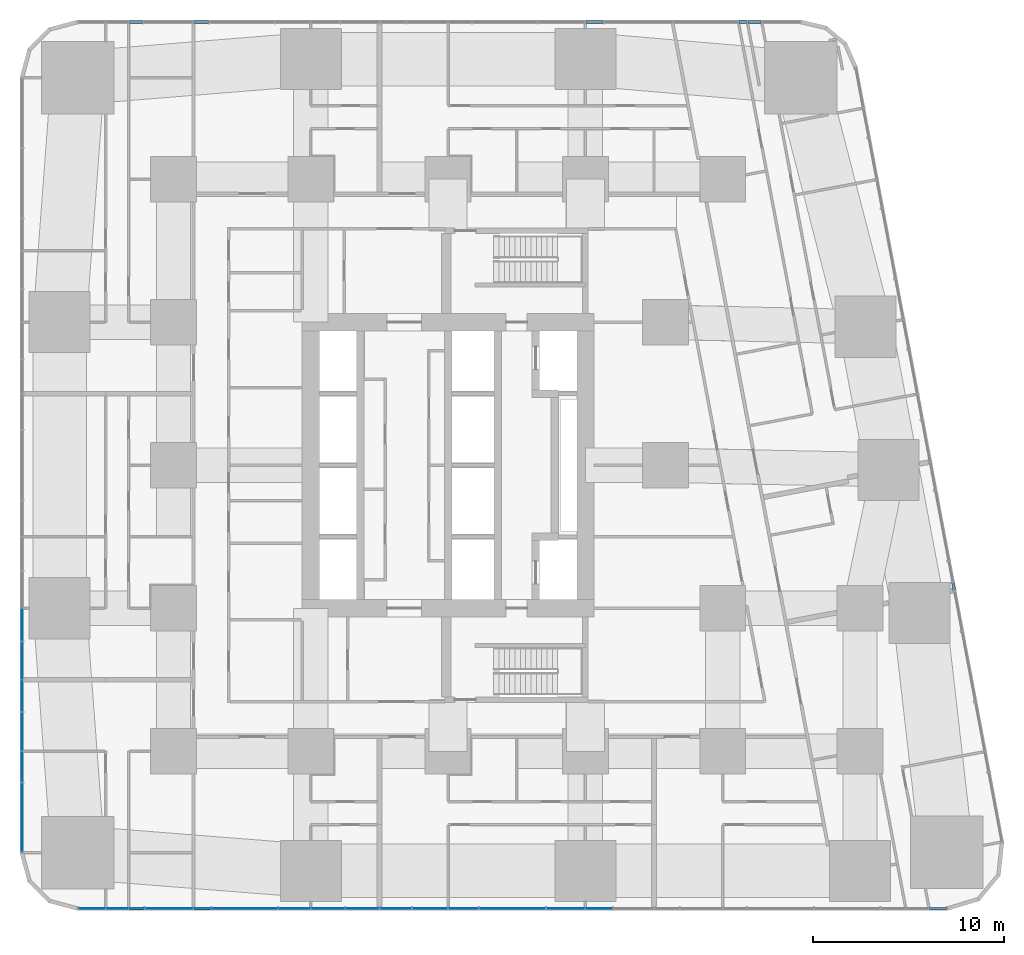
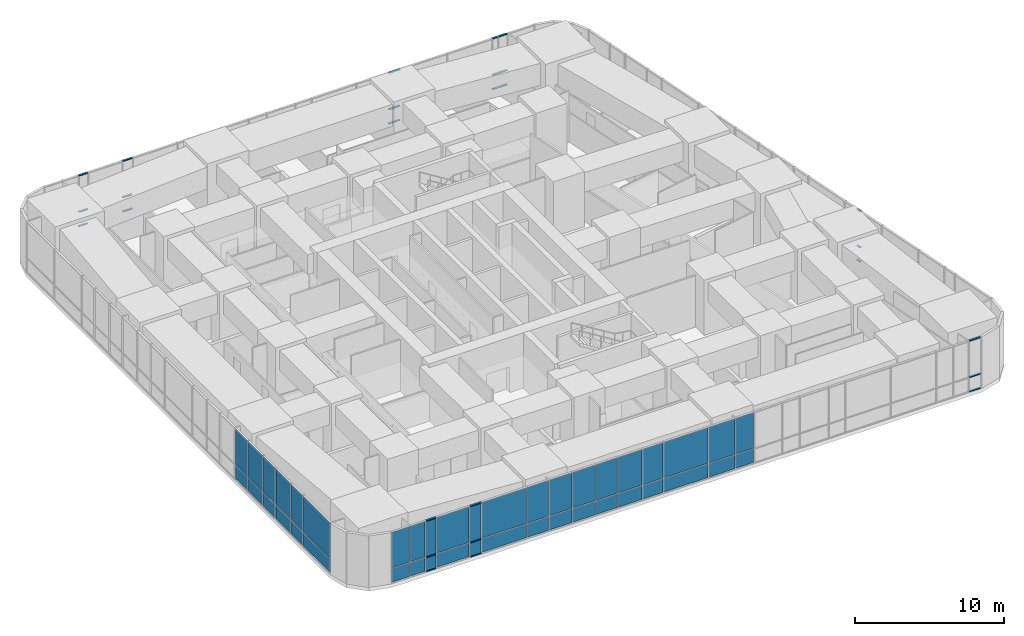
# One storey, part 9 of 22: 42 plates, 27 members, 4 elements without a shape of their own.
"""IFC4 building model written with IfcOpenShell, lengths in metres."""

from ifc_helpers import new_model, si_unit, direction, frame, origin, origin_2d, place, context, subcontext, project, spatial, rectangle, extrude, material, layer, layer_set, material_profile, profile_set, type_object, element, aggregate, save


model = new_model("IFC4")

# Units and contexts
model_context = context("Model", 3, precision=1e-05, world=origin(), true_north=direction((0.0, 1.0)))
body_context = subcontext(model_context, "Body", "Model", "MODEL_VIEW")
ifc_project = project(units=[si_unit("LENGTHUNIT", "METRE"), si_unit("AREAUNIT", "SQUARE_METRE"), si_unit("VOLUMEUNIT", "CUBIC_METRE"), si_unit("PLANEANGLEUNIT", "RADIAN"), si_unit("MASSUNIT", "GRAM", prefix="KILO")], contexts=[model_context])

# Site, building, storey
site_placement = place(None, origin())
site = spatial("IfcSite", under=ifc_project, at=site_placement, CompositionType="ELEMENT")
building_placement = place(site_placement, origin())
building = spatial("IfcBuilding", under=site, at=building_placement, Name="Sheger Commons Tower", CompositionType="ELEMENT")
storey_placement = place(building_placement, frame((0.0, 0.0, 10.10009765625)))
storey = spatial("IfcBuildingStorey", under=building, at=storey_placement, Name="L02", CompositionType="ELEMENT", Elevation=10.10009765625)

# Curtain wall, members
ifc_material_1 = material(Name="Black aluminium curtain wall, dark tinted glazing", Category="aluminium")
curtain_wall_type = type_object("IfcCurtainWallType", Name="CURTAIN WALL CW2 HEALTH CENTRE", PredefinedType="USERDEFINED", material=ifc_material_1)
curtain_wall_1_placement = place(storey_placement, origin())
curtain_wall_1 = element("IfcCurtainWall", 1, at=curtain_wall_1_placement, inside=storey, type_object=curtain_wall_type, Name="Curtain Wall Cw2 Health Centre S1 L02", ObjectType="STICK CURTAIN WALL", PredefinedType="USERDEFINED")
ifc_material_2 = material(Name="Black anodised aluminium", Category="aluminium")
ifc_material_profile = material_profile(ifc_material_2, rectangle(XDim=0.14990234375, YDim=0.06494140625, at=origin_2d()), Name="AL 65x150")
ifc_profile_set = profile_set([ifc_material_profile], Name="Black anodised aluminium")
member_type = type_object("IfcMemberType", Name="TRANSOM AL 65x150", PredefinedType="USERDEFINED", material=ifc_profile_set)
member_1_placement = place(storey_placement, frame((4.882568359375, -0.75, 0.032470703125), z_axis=(1.0, 0.0, 0.0), x_axis=(0.0, 1.0, 0.0)))
member_1 = element("IfcMember", 2, at=member_1_placement, type_object=member_type, Name="CW2 transom 3.1", ObjectType="TRANSOM", PredefinedType="USERDEFINED", context=body_context, shape_type="SweptSolid", body=[
    extrude(rectangle(XDim=0.14990234375, YDim=0.06494140625, at=origin_2d()), origin(), (0.0, 0.0, 1.0), 0.7578125),
])
member_2_placement = place(storey_placement, frame((4.882568359375, -0.75, 1.199951171875), z_axis=(1.0, 0.0, 0.0), x_axis=(0.0, 1.0, 0.0)))
member_2 = element("IfcMember", 3, at=member_2_placement, type_object=member_type, Name="CW2 transom 3.2", ObjectType="TRANSOM", PredefinedType="USERDEFINED", context=body_context, shape_type="SweptSolid", body=[
    extrude(rectangle(XDim=0.14990234375, YDim=0.06494140625, at=origin_2d()), origin(), (0.0, 0.0, 1.0), 0.7578125),
])
member_3_placement = place(storey_placement, frame((4.882568359375, -0.75, 4.16748046875), z_axis=(1.0, 0.0, 0.0), x_axis=(0.0, 1.0, 0.0)))
member_3 = element("IfcMember", 4, at=member_3_placement, type_object=member_type, Name="CW2 transom 3.3", ObjectType="TRANSOM", PredefinedType="USERDEFINED", context=body_context, shape_type="SweptSolid", body=[
    extrude(rectangle(XDim=0.14990234375, YDim=0.06494140625, at=origin_2d()), origin(), (0.0, 0.0, 1.0), 0.7578125),
])
member_4_placement = place(storey_placement, frame((8.282470703125, -0.75, 0.032470703125), z_axis=(1.0, 0.0, 0.0), x_axis=(0.0, 1.0, 0.0)))
member_4 = element("IfcMember", 5, at=member_4_placement, type_object=member_type, Name="CW2 transom 5.1", ObjectType="TRANSOM", PredefinedType="USERDEFINED", context=body_context, shape_type="SweptSolid", body=[
    extrude(rectangle(XDim=0.14990234375, YDim=0.06494140625, at=origin_2d()), origin(), (0.0, 0.0, 1.0), 0.867919921875),
])
member_5_placement = place(storey_placement, frame((8.282470703125, -0.75, 1.199951171875), z_axis=(1.0, 0.0, 0.0), x_axis=(0.0, 1.0, 0.0)))
member_5 = element("IfcMember", 6, at=member_5_placement, type_object=member_type, Name="CW2 transom 5.2", ObjectType="TRANSOM", PredefinedType="USERDEFINED", context=body_context, shape_type="SweptSolid", body=[
    extrude(rectangle(XDim=0.14990234375, YDim=0.06494140625, at=origin_2d()), origin(), (0.0, 0.0, 1.0), 0.867919921875),
])
member_6_placement = place(storey_placement, frame((8.282470703125, -0.75, 4.16748046875), z_axis=(1.0, 0.0, 0.0), x_axis=(0.0, 1.0, 0.0)))
member_6 = element("IfcMember", 7, at=member_6_placement, type_object=member_type, Name="CW2 transom 5.3", ObjectType="TRANSOM", PredefinedType="USERDEFINED", context=body_context, shape_type="SweptSolid", body=[
    extrude(rectangle(XDim=0.14990234375, YDim=0.06494140625, at=origin_2d()), origin(), (0.0, 0.0, 1.0), 0.867919921875),
])
member_7_placement = place(storey_placement, frame((46.859619140625, -0.75, 0.032470703125), z_axis=(1.0, 0.0, 0.0), x_axis=(0.0, 1.0, 0.0)))
member_7 = element("IfcMember", 8, at=member_7_placement, type_object=member_type, Name="CW2 transom 24.1", ObjectType="TRANSOM", PredefinedType="USERDEFINED", context=body_context, shape_type="SweptSolid", body=[
    extrude(rectangle(XDim=0.14990234375, YDim=0.06494140625, at=origin_2d()), origin(), (0.0, 0.0, 1.0), 0.866455078125),
])
member_8_placement = place(storey_placement, frame((46.859619140625, -0.75, 1.199951171875), z_axis=(1.0, 0.0, 0.0), x_axis=(0.0, 1.0, 0.0)))
member_8 = element("IfcMember", 9, at=member_8_placement, type_object=member_type, Name="CW2 transom 24.2", ObjectType="TRANSOM", PredefinedType="USERDEFINED", context=body_context, shape_type="SweptSolid", body=[
    extrude(rectangle(XDim=0.14990234375, YDim=0.06494140625, at=origin_2d()), origin(), (0.0, 0.0, 1.0), 0.866455078125),
])
member_9_placement = place(storey_placement, frame((46.859619140625, -0.75, 4.16748046875), z_axis=(1.0, 0.0, 0.0), x_axis=(0.0, 1.0, 0.0)))
member_9 = element("IfcMember", 10, at=member_9_placement, type_object=member_type, Name="CW2 transom 24.3", ObjectType="TRANSOM", PredefinedType="USERDEFINED", context=body_context, shape_type="SweptSolid", body=[
    extrude(rectangle(XDim=0.14990234375, YDim=0.06494140625, at=origin_2d()), origin(), (0.0, 0.0, 1.0), 0.866455078125),
])

curtain_wall_2_placement = place(storey_placement, origin())
curtain_wall_2 = element("IfcCurtainWall", 11, at=curtain_wall_2_placement, inside=storey, type_object=curtain_wall_type, Name="Curtain Wall Cw2 Health Centre E1 L02", ObjectType="STICK CURTAIN WALL", PredefinedType="USERDEFINED")
member_10_placement = place(storey_placement, frame((48.1474609375, 15.967041015625, 0.032470703125), z_axis=(-0.185599713846, 0.982625435362, 0.0), x_axis=(-0.982625435362, -0.185599713846, 0.0)))
member_10 = element("IfcMember", 12, at=member_10_placement, type_object=member_type, Name="CW2 transom 6.1", ObjectType="TRANSOM", PredefinedType="USERDEFINED", context=body_context, shape_type="SweptSolid", body=[
    extrude(rectangle(XDim=0.14990234375, YDim=0.06494140625, at=origin_2d()), origin(), (0.0, 0.0, 1.0), 0.370849609375),
])
member_11_placement = place(storey_placement, frame((48.1474609375, 15.967041015625, 1.199951171875), z_axis=(-0.185599713846, 0.982625435362, 0.0), x_axis=(-0.982625435362, -0.185599713846, 0.0)))
member_11 = element("IfcMember", 13, at=member_11_placement, type_object=member_type, Name="CW2 transom 6.2", ObjectType="TRANSOM", PredefinedType="USERDEFINED", context=body_context, shape_type="SweptSolid", body=[
    extrude(rectangle(XDim=0.14990234375, YDim=0.06494140625, at=origin_2d()), origin(), (0.0, 0.0, 1.0), 0.370849609375),
])
member_12_placement = place(storey_placement, frame((48.1474609375, 15.967041015625, 4.16748046875), z_axis=(-0.185599713846, 0.982625435362, 0.0), x_axis=(-0.982625435362, -0.185599713846, 0.0)))
member_12 = element("IfcMember", 14, at=member_12_placement, type_object=member_type, Name="CW2 transom 6.3", ObjectType="TRANSOM", PredefinedType="USERDEFINED", context=body_context, shape_type="SweptSolid", body=[
    extrude(rectangle(XDim=0.14990234375, YDim=0.06494140625, at=origin_2d()), origin(), (0.0, 0.0, 1.0), 0.370849609375),
])
aggregate(curtain_wall_2, [member_10, member_11, member_12])

curtain_wall_3_placement = place(storey_placement, origin())
curtain_wall_3 = element("IfcCurtainWall", 15, at=curtain_wall_3_placement, inside=storey, type_object=curtain_wall_type, Name="Curtain Wall Cw2 Health Centre N1 L02", ObjectType="STICK CURTAIN WALL", PredefinedType="USERDEFINED")
member_13_placement = place(storey_placement, frame((38.011474609375, 45.75, 0.032470703125), z_axis=(-1.0, 0.0, 0.0), x_axis=(0.0, -1.0, 0.0)))
member_13 = element("IfcMember", 16, at=member_13_placement, type_object=member_type, Name="CW2 transom 2.1", ObjectType="TRANSOM", PredefinedType="USERDEFINED", context=body_context, shape_type="SweptSolid", body=[
    extrude(rectangle(XDim=0.14990234375, YDim=0.06494140625, at=origin_2d()), origin(), (0.0, 0.0, 1.0), 0.68701171875),
])
member_14_placement = place(storey_placement, frame((38.011474609375, 45.75, 1.199951171875), z_axis=(-1.0, 0.0, 0.0), x_axis=(0.0, -1.0, 0.0)))
member_14 = element("IfcMember", 17, at=member_14_placement, type_object=member_type, Name="CW2 transom 2.2", ObjectType="TRANSOM", PredefinedType="USERDEFINED", context=body_context, shape_type="SweptSolid", body=[
    extrude(rectangle(XDim=0.14990234375, YDim=0.06494140625, at=origin_2d()), origin(), (0.0, 0.0, 1.0), 0.68701171875),
])
member_15_placement = place(storey_placement, frame((38.011474609375, 45.75, 4.16748046875), z_axis=(-1.0, 0.0, 0.0), x_axis=(0.0, -1.0, 0.0)))
member_15 = element("IfcMember", 18, at=member_15_placement, type_object=member_type, Name="CW2 transom 2.3", ObjectType="TRANSOM", PredefinedType="USERDEFINED", context=body_context, shape_type="SweptSolid", body=[
    extrude(rectangle(XDim=0.14990234375, YDim=0.06494140625, at=origin_2d()), origin(), (0.0, 0.0, 1.0), 0.68701171875),
])
member_16_placement = place(storey_placement, frame((37.259521484375, 45.75, 0.032470703125), z_axis=(-1.0, 0.0, 0.0), x_axis=(0.0, -1.0, 0.0)))
member_16 = element("IfcMember", 19, at=member_16_placement, type_object=member_type, Name="CW2 transom 3.1", ObjectType="TRANSOM", PredefinedType="USERDEFINED", context=body_context, shape_type="SweptSolid", body=[
    extrude(rectangle(XDim=0.14990234375, YDim=0.06494140625, at=origin_2d()), origin(), (0.0, 0.0, 1.0), 0.404052734375),
])
member_17_placement = place(storey_placement, frame((37.259521484375, 45.75, 1.199951171875), z_axis=(-1.0, 0.0, 0.0), x_axis=(0.0, -1.0, 0.0)))
member_17 = element("IfcMember", 20, at=member_17_placement, type_object=member_type, Name="CW2 transom 3.2", ObjectType="TRANSOM", PredefinedType="USERDEFINED", context=body_context, shape_type="SweptSolid", body=[
    extrude(rectangle(XDim=0.14990234375, YDim=0.06494140625, at=origin_2d()), origin(), (0.0, 0.0, 1.0), 0.404052734375),
])
member_18_placement = place(storey_placement, frame((37.259521484375, 45.75, 4.16748046875), z_axis=(-1.0, 0.0, 0.0), x_axis=(0.0, -1.0, 0.0)))
member_18 = element("IfcMember", 21, at=member_18_placement, type_object=member_type, Name="CW2 transom 3.3", ObjectType="TRANSOM", PredefinedType="USERDEFINED", context=body_context, shape_type="SweptSolid", body=[
    extrude(rectangle(XDim=0.14990234375, YDim=0.06494140625, at=origin_2d()), origin(), (0.0, 0.0, 1.0), 0.404052734375),
])
member_19_placement = place(storey_placement, frame((29.7255859375, 45.75, 0.032470703125), z_axis=(-1.0, 0.0, 0.0), x_axis=(0.0, -1.0, 0.0)))
member_19 = element("IfcMember", 22, at=member_19_placement, type_object=member_type, Name="CW2 transom 6.1", ObjectType="TRANSOM", PredefinedType="USERDEFINED", context=body_context, shape_type="SweptSolid", body=[
    extrude(rectangle(XDim=0.14990234375, YDim=0.06494140625, at=origin_2d()), origin(), (0.0, 0.0, 1.0), 0.89306640625),
])
member_20_placement = place(storey_placement, frame((29.7255859375, 45.75, 1.199951171875), z_axis=(-1.0, 0.0, 0.0), x_axis=(0.0, -1.0, 0.0)))
member_20 = element("IfcMember", 23, at=member_20_placement, type_object=member_type, Name="CW2 transom 6.2", ObjectType="TRANSOM", PredefinedType="USERDEFINED", context=body_context, shape_type="SweptSolid", body=[
    extrude(rectangle(XDim=0.14990234375, YDim=0.06494140625, at=origin_2d()), origin(), (0.0, 0.0, 1.0), 0.89306640625),
])
member_21_placement = place(storey_placement, frame((29.7255859375, 45.75, 4.16748046875), z_axis=(-1.0, 0.0, 0.0), x_axis=(0.0, -1.0, 0.0)))
member_21 = element("IfcMember", 24, at=member_21_placement, type_object=member_type, Name="CW2 transom 6.3", ObjectType="TRANSOM", PredefinedType="USERDEFINED", context=body_context, shape_type="SweptSolid", body=[
    extrude(rectangle(XDim=0.14990234375, YDim=0.06494140625, at=origin_2d()), origin(), (0.0, 0.0, 1.0), 0.89306640625),
])
member_22_placement = place(storey_placement, frame((9.029541015625, 45.75, 0.032470703125), z_axis=(-1.0, 0.0, 0.0), x_axis=(0.0, -1.0, 0.0)))
member_22 = element("IfcMember", 25, at=member_22_placement, type_object=member_type, Name="CW2 transom 16.1", ObjectType="TRANSOM", PredefinedType="USERDEFINED", context=body_context, shape_type="SweptSolid", body=[
    extrude(rectangle(XDim=0.14990234375, YDim=0.06494140625, at=origin_2d()), origin(), (0.0, 0.0, 1.0), 0.7470703125),
])
member_23_placement = place(storey_placement, frame((9.029541015625, 45.75, 1.199951171875), z_axis=(-1.0, 0.0, 0.0), x_axis=(0.0, -1.0, 0.0)))
member_23 = element("IfcMember", 26, at=member_23_placement, type_object=member_type, Name="CW2 transom 16.2", ObjectType="TRANSOM", PredefinedType="USERDEFINED", context=body_context, shape_type="SweptSolid", body=[
    extrude(rectangle(XDim=0.14990234375, YDim=0.06494140625, at=origin_2d()), origin(), (0.0, 0.0, 1.0), 0.7470703125),
])
member_24_placement = place(storey_placement, frame((9.029541015625, 45.75, 4.16748046875), z_axis=(-1.0, 0.0, 0.0), x_axis=(0.0, -1.0, 0.0)))
member_24 = element("IfcMember", 27, at=member_24_placement, type_object=member_type, Name="CW2 transom 16.3", ObjectType="TRANSOM", PredefinedType="USERDEFINED", context=body_context, shape_type="SweptSolid", body=[
    extrude(rectangle(XDim=0.14990234375, YDim=0.06494140625, at=origin_2d()), origin(), (0.0, 0.0, 1.0), 0.7470703125),
])
member_25_placement = place(storey_placement, frame((5.57958984375, 45.75, 0.032470703125), z_axis=(-1.0, 0.0, 0.0), x_axis=(0.0, -1.0, 0.0)))
member_25 = element("IfcMember", 28, at=member_25_placement, type_object=member_type, Name="CW2 transom 18.1", ObjectType="TRANSOM", PredefinedType="USERDEFINED", context=body_context, shape_type="SweptSolid", body=[
    extrude(rectangle(XDim=0.14990234375, YDim=0.06494140625, at=origin_2d()), origin(), (0.0, 0.0, 1.0), 0.697021484375),
])
member_26_placement = place(storey_placement, frame((5.57958984375, 45.75, 1.199951171875), z_axis=(-1.0, 0.0, 0.0), x_axis=(0.0, -1.0, 0.0)))
member_26 = element("IfcMember", 29, at=member_26_placement, type_object=member_type, Name="CW2 transom 18.2", ObjectType="TRANSOM", PredefinedType="USERDEFINED", context=body_context, shape_type="SweptSolid", body=[
    extrude(rectangle(XDim=0.14990234375, YDim=0.06494140625, at=origin_2d()), origin(), (0.0, 0.0, 1.0), 0.697021484375),
])
member_27_placement = place(storey_placement, frame((5.57958984375, 45.75, 4.16748046875), z_axis=(-1.0, 0.0, 0.0), x_axis=(0.0, -1.0, 0.0)))
member_27 = element("IfcMember", 30, at=member_27_placement, type_object=member_type, Name="CW2 transom 18.3", ObjectType="TRANSOM", PredefinedType="USERDEFINED", context=body_context, shape_type="SweptSolid", body=[
    extrude(rectangle(XDim=0.14990234375, YDim=0.06494140625, at=origin_2d()), origin(), (0.0, 0.0, 1.0), 0.697021484375),
])
aggregate(curtain_wall_3, [member_13, member_14, member_15, member_16, member_17, member_18, member_19, member_20, member_21, member_22, member_23, member_24, member_25, member_26, member_27])

# Plate
ifc_material_3 = material(Name="Dark tinted double glazing", Category="glass")
ifc_layer = layer(ifc_material_3, 0.031982421875)
ifc_layer_set = layer_set([ifc_layer], Name="GLAZED PANEL 32")
plate_type = type_object("IfcPlateType", Name="GLAZED PANEL 32", PredefinedType="CURTAIN_PANEL", material=ifc_layer_set)
plate_1_placement = place(storey_placement, frame((2.9228515625, -0.75, 0.06494140625), z_axis=(0.0, 0.0, 1.0), x_axis=(1.0, 0.0, 0.0)))
plate_1 = element("IfcPlate", 31, at=plate_1_placement, type_object=plate_type, Name="CW2 panel 1.1", PredefinedType="CURTAIN_PANEL", context=body_context, shape_type="SweptSolid", body=[
    extrude(rectangle(XDim=1.389404296875, YDim=0.031982421875, at=origin_2d()), origin(), (0.0, 0.0, 1.0), 1.1025390625),
])

plate_2_placement = place(storey_placement, frame((2.9228515625, -0.75, 1.232421875), z_axis=(0.0, 0.0, 1.0), x_axis=(1.0, 0.0, 0.0)))
plate_2 = element("IfcPlate", 32, at=plate_2_placement, type_object=plate_type, Name="CW2 panel 1.2", PredefinedType="CURTAIN_PANEL", context=body_context, shape_type="SweptSolid", body=[
    extrude(rectangle(XDim=1.389404296875, YDim=0.031982421875, at=origin_2d()), origin(), (0.0, 0.0, 1.0), 2.902587890625),
])

plate_3_placement = place(storey_placement, frame((4.25, -0.75, 0.06494140625), z_axis=(0.0, 0.0, 1.0), x_axis=(1.0, 0.0, 0.0)))
plate_3 = element("IfcPlate", 33, at=plate_3_placement, type_object=plate_type, Name="CW2 panel 2.1", PredefinedType="CURTAIN_PANEL", context=body_context, shape_type="SweptSolid", body=[
    extrude(rectangle(XDim=1.135009765625, YDim=0.031982421875, at=origin_2d()), origin(), (0.0, 0.0, 1.0), 1.1025390625),
])

plate_4_placement = place(storey_placement, frame((4.25, -0.75, 1.232421875), z_axis=(0.0, 0.0, 1.0), x_axis=(1.0, 0.0, 0.0)))
plate_4 = element("IfcPlate", 34, at=plate_4_placement, type_object=plate_type, Name="CW2 panel 2.2", PredefinedType="CURTAIN_PANEL", context=body_context, shape_type="SweptSolid", body=[
    extrude(rectangle(XDim=1.135009765625, YDim=0.031982421875, at=origin_2d()), origin(), (0.0, 0.0, 1.0), 2.902587890625),
])

plate_5_placement = place(storey_placement, frame((5.261474609375, -0.75, 0.06494140625), z_axis=(0.0, 0.0, 1.0), x_axis=(1.0, 0.0, 0.0)))
plate_5 = element("IfcPlate", 35, at=plate_5_placement, type_object=plate_type, Name="CW2 panel 3.1", PredefinedType="CURTAIN_PANEL", context=body_context, shape_type="SweptSolid", body=[
    extrude(rectangle(XDim=0.758056640625, YDim=0.031982421875, at=origin_2d()), origin(), (0.0, 0.0, 1.0), 1.1025390625),
])

plate_6_placement = place(storey_placement, frame((5.261474609375, -0.75, 1.232421875), z_axis=(0.0, 0.0, 1.0), x_axis=(1.0, 0.0, 0.0)))
plate_6 = element("IfcPlate", 36, at=plate_6_placement, type_object=plate_type, Name="CW2 panel 3.2", PredefinedType="CURTAIN_PANEL", context=body_context, shape_type="SweptSolid", body=[
    extrude(rectangle(XDim=0.758056640625, YDim=0.031982421875, at=origin_2d()), origin(), (0.0, 0.0, 1.0), 2.902587890625),
])

plate_7_placement = place(storey_placement, frame((6.96142578125, -0.75, 0.06494140625), z_axis=(0.0, 0.0, 1.0), x_axis=(1.0, 0.0, 0.0)))
plate_7 = element("IfcPlate", 37, at=plate_7_placement, type_object=plate_type, Name="CW2 panel 4.1", PredefinedType="CURTAIN_PANEL", context=body_context, shape_type="SweptSolid", body=[
    extrude(rectangle(XDim=2.511962890625, YDim=0.031982421875, at=origin_2d()), origin(), (0.0, 0.0, 1.0), 1.1025390625),
])

plate_8_placement = place(storey_placement, frame((6.96142578125, -0.75, 1.232421875), z_axis=(0.0, 0.0, 1.0), x_axis=(1.0, 0.0, 0.0)))
plate_8 = element("IfcPlate", 38, at=plate_8_placement, type_object=plate_type, Name="CW2 panel 4.2", PredefinedType="CURTAIN_PANEL", context=body_context, shape_type="SweptSolid", body=[
    extrude(rectangle(XDim=2.511962890625, YDim=0.031982421875, at=origin_2d()), origin(), (0.0, 0.0, 1.0), 2.902587890625),
])

plate_9_placement = place(storey_placement, frame((8.716552734375, -0.75, 0.06494140625), z_axis=(0.0, 0.0, 1.0), x_axis=(1.0, 0.0, 0.0)))
plate_9 = element("IfcPlate", 39, at=plate_9_placement, type_object=plate_type, Name="CW2 panel 5.1", PredefinedType="CURTAIN_PANEL", context=body_context, shape_type="SweptSolid", body=[
    extrude(rectangle(XDim=0.867919921875, YDim=0.031982421875, at=origin_2d()), origin(), (0.0, 0.0, 1.0), 1.1025390625),
])

plate_10_placement = place(storey_placement, frame((8.716552734375, -0.75, 1.232421875), z_axis=(0.0, 0.0, 1.0), x_axis=(1.0, 0.0, 0.0)))
plate_10 = element("IfcPlate", 40, at=plate_10_placement, type_object=plate_type, Name="CW2 panel 5.2", PredefinedType="CURTAIN_PANEL", context=body_context, shape_type="SweptSolid", body=[
    extrude(rectangle(XDim=0.867919921875, YDim=0.031982421875, at=origin_2d()), origin(), (0.0, 0.0, 1.0), 2.902587890625),
])

plate_11_placement = place(storey_placement, frame((10.93798828125, -0.75, 0.06494140625), z_axis=(0.0, 0.0, 1.0), x_axis=(1.0, 0.0, 0.0)))
plate_11 = element("IfcPlate", 41, at=plate_11_placement, type_object=plate_type, Name="CW2 panel 6.1", PredefinedType="CURTAIN_PANEL", context=body_context, shape_type="SweptSolid", body=[
    extrude(rectangle(XDim=3.445068359375, YDim=0.031982421875, at=origin_2d()), origin(), (0.0, 0.0, 1.0), 1.1025390625),
])

plate_12_placement = place(storey_placement, frame((10.93798828125, -0.75, 1.232421875), z_axis=(0.0, 0.0, 1.0), x_axis=(1.0, 0.0, 0.0)))
plate_12 = element("IfcPlate", 42, at=plate_12_placement, type_object=plate_type, Name="CW2 panel 6.2", PredefinedType="CURTAIN_PANEL", context=body_context, shape_type="SweptSolid", body=[
    extrude(rectangle(XDim=3.445068359375, YDim=0.031982421875, at=origin_2d()), origin(), (0.0, 0.0, 1.0), 2.902587890625),
])

plate_13_placement = place(storey_placement, frame((13.54638671875, -0.75, 0.06494140625), z_axis=(0.0, 0.0, 1.0), x_axis=(1.0, 0.0, 0.0)))
plate_13 = element("IfcPlate", 43, at=plate_13_placement, type_object=plate_type, Name="CW2 panel 7.1", PredefinedType="CURTAIN_PANEL", context=body_context, shape_type="SweptSolid", body=[
    extrude(rectangle(XDim=1.64208984375, YDim=0.031982421875, at=origin_2d()), origin(), (0.0, 0.0, 1.0), 1.1025390625),
])

plate_14_placement = place(storey_placement, frame((13.54638671875, -0.75, 1.232421875), z_axis=(0.0, 0.0, 1.0), x_axis=(1.0, 0.0, 0.0)))
plate_14 = element("IfcPlate", 44, at=plate_14_placement, type_object=plate_type, Name="CW2 panel 7.2", PredefinedType="CURTAIN_PANEL", context=body_context, shape_type="SweptSolid", body=[
    extrude(rectangle(XDim=1.64208984375, YDim=0.031982421875, at=origin_2d()), origin(), (0.0, 0.0, 1.0), 2.902587890625),
])

plate_15_placement = place(storey_placement, frame((15.301025390625, -0.75, 0.06494140625), z_axis=(0.0, 0.0, 1.0), x_axis=(1.0, 0.0, 0.0)))
plate_15 = element("IfcPlate", 45, at=plate_15_placement, type_object=plate_type, Name="CW2 panel 8.1", PredefinedType="CURTAIN_PANEL", context=body_context, shape_type="SweptSolid", body=[
    extrude(rectangle(XDim=1.737060546875, YDim=0.031982421875, at=origin_2d()), origin(), (0.0, 0.0, 1.0), 1.1025390625),
])

plate_16_placement = place(storey_placement, frame((15.301025390625, -0.75, 1.232421875), z_axis=(0.0, 0.0, 1.0), x_axis=(1.0, 0.0, 0.0)))
plate_16 = element("IfcPlate", 46, at=plate_16_placement, type_object=plate_type, Name="CW2 panel 8.2", PredefinedType="CURTAIN_PANEL", context=body_context, shape_type="SweptSolid", body=[
    extrude(rectangle(XDim=1.737060546875, YDim=0.031982421875, at=origin_2d()), origin(), (0.0, 0.0, 1.0), 2.902587890625),
])

plate_17_placement = place(storey_placement, frame((17.10107421875, -0.75, 0.06494140625), z_axis=(0.0, 0.0, 1.0), x_axis=(1.0, 0.0, 0.0)))
plate_17 = element("IfcPlate", 47, at=plate_17_placement, type_object=plate_type, Name="CW2 panel 9.1", PredefinedType="CURTAIN_PANEL", context=body_context, shape_type="SweptSolid", body=[
    extrude(rectangle(XDim=1.73291015625, YDim=0.031982421875, at=origin_2d()), origin(), (0.0, 0.0, 1.0), 1.1025390625),
])

plate_18_placement = place(storey_placement, frame((17.10107421875, -0.75, 1.232421875), z_axis=(0.0, 0.0, 1.0), x_axis=(1.0, 0.0, 0.0)))
plate_18 = element("IfcPlate", 48, at=plate_18_placement, type_object=plate_type, Name="CW2 panel 9.2", PredefinedType="CURTAIN_PANEL", context=body_context, shape_type="SweptSolid", body=[
    extrude(rectangle(XDim=1.73291015625, YDim=0.031982421875, at=origin_2d()), origin(), (0.0, 0.0, 1.0), 2.902587890625),
])

plate_19_placement = place(storey_placement, frame((18.85595703125, -0.75, 0.06494140625), z_axis=(0.0, 0.0, 1.0), x_axis=(1.0, 0.0, 0.0)))
plate_19 = element("IfcPlate", 49, at=plate_19_placement, type_object=plate_type, Name="CW2 panel 10.1", PredefinedType="CURTAIN_PANEL", context=body_context, shape_type="SweptSolid", body=[
    extrude(rectangle(XDim=1.64697265625, YDim=0.031982421875, at=origin_2d()), origin(), (0.0, 0.0, 1.0), 1.1025390625),
])

plate_20_placement = place(storey_placement, frame((18.85595703125, -0.75, 1.232421875), z_axis=(0.0, 0.0, 1.0), x_axis=(1.0, 0.0, 0.0)))
plate_20 = element("IfcPlate", 50, at=plate_20_placement, type_object=plate_type, Name="CW2 panel 10.2", PredefinedType="CURTAIN_PANEL", context=body_context, shape_type="SweptSolid", body=[
    extrude(rectangle(XDim=1.64697265625, YDim=0.031982421875, at=origin_2d()), origin(), (0.0, 0.0, 1.0), 2.902587890625),
])

plate_21_placement = place(storey_placement, frame((20.656005859375, -0.75, 0.06494140625), z_axis=(0.0, 0.0, 1.0), x_axis=(1.0, 0.0, 0.0)))
plate_21 = element("IfcPlate", 51, at=plate_21_placement, type_object=plate_type, Name="CW2 panel 11.1", PredefinedType="CURTAIN_PANEL", context=body_context, shape_type="SweptSolid", body=[
    extrude(rectangle(XDim=1.822998046875, YDim=0.031982421875, at=origin_2d()), origin(), (0.0, 0.0, 1.0), 1.1025390625),
])

plate_22_placement = place(storey_placement, frame((20.656005859375, -0.75, 1.232421875), z_axis=(0.0, 0.0, 1.0), x_axis=(1.0, 0.0, 0.0)))
plate_22 = element("IfcPlate", 52, at=plate_22_placement, type_object=plate_type, Name="CW2 panel 11.2", PredefinedType="CURTAIN_PANEL", context=body_context, shape_type="SweptSolid", body=[
    extrude(rectangle(XDim=1.822998046875, YDim=0.031982421875, at=origin_2d()), origin(), (0.0, 0.0, 1.0), 2.902587890625),
])

plate_23_placement = place(storey_placement, frame((22.410888671875, -0.75, 0.06494140625), z_axis=(0.0, 0.0, 1.0), x_axis=(1.0, 0.0, 0.0)))
plate_23 = element("IfcPlate", 53, at=plate_23_placement, type_object=plate_type, Name="CW2 panel 12.1", PredefinedType="CURTAIN_PANEL", context=body_context, shape_type="SweptSolid", body=[
    extrude(rectangle(XDim=1.556884765625, YDim=0.031982421875, at=origin_2d()), origin(), (0.0, 0.0, 1.0), 1.1025390625),
])

plate_24_placement = place(storey_placement, frame((22.410888671875, -0.75, 1.232421875), z_axis=(0.0, 0.0, 1.0), x_axis=(1.0, 0.0, 0.0)))
plate_24 = element("IfcPlate", 54, at=plate_24_placement, type_object=plate_type, Name="CW2 panel 12.2", PredefinedType="CURTAIN_PANEL", context=body_context, shape_type="SweptSolid", body=[
    extrude(rectangle(XDim=1.556884765625, YDim=0.031982421875, at=origin_2d()), origin(), (0.0, 0.0, 1.0), 2.902587890625),
])

plate_25_placement = place(storey_placement, frame((24.97705078125, -0.75, 0.06494140625), z_axis=(0.0, 0.0, 1.0), x_axis=(1.0, 0.0, 0.0)))
plate_25 = element("IfcPlate", 55, at=plate_25_placement, type_object=plate_type, Name="CW2 panel 13.1", PredefinedType="CURTAIN_PANEL", context=body_context, shape_type="SweptSolid", body=[
    extrude(rectangle(XDim=3.445068359375, YDim=0.031982421875, at=origin_2d()), origin(), (0.0, 0.0, 1.0), 1.1025390625),
])

plate_26_placement = place(storey_placement, frame((24.97705078125, -0.75, 1.232421875), z_axis=(0.0, 0.0, 1.0), x_axis=(1.0, 0.0, 0.0)))
plate_26 = element("IfcPlate", 56, at=plate_26_placement, type_object=plate_type, Name="CW2 panel 13.2", PredefinedType="CURTAIN_PANEL", context=body_context, shape_type="SweptSolid", body=[
    extrude(rectangle(XDim=3.445068359375, YDim=0.031982421875, at=origin_2d()), origin(), (0.0, 0.0, 1.0), 2.902587890625),
])

plate_27_placement = place(storey_placement, frame((27.76611328125, -0.75, 0.06494140625), z_axis=(0.0, 0.0, 1.0), x_axis=(1.0, 0.0, 0.0)))
plate_27 = element("IfcPlate", 57, at=plate_27_placement, type_object=plate_type, Name="CW2 panel 14.1", PredefinedType="CURTAIN_PANEL", context=body_context, shape_type="SweptSolid", body=[
    extrude(rectangle(XDim=2.0029296875, YDim=0.031982421875, at=origin_2d()), origin(), (0.0, 0.0, 1.0), 1.1025390625),
])

plate_28_placement = place(storey_placement, frame((27.76611328125, -0.75, 1.232421875), z_axis=(0.0, 0.0, 1.0), x_axis=(1.0, 0.0, 0.0)))
plate_28 = element("IfcPlate", 58, at=plate_28_placement, type_object=plate_type, Name="CW2 panel 14.2", PredefinedType="CURTAIN_PANEL", context=body_context, shape_type="SweptSolid", body=[
    extrude(rectangle(XDim=2.0029296875, YDim=0.031982421875, at=origin_2d()), origin(), (0.0, 0.0, 1.0), 2.902587890625),
])

plate_29_placement = place(storey_placement, frame((29.52099609375, -0.75, 0.06494140625), z_axis=(0.0, 0.0, 1.0), x_axis=(1.0, 0.0, 0.0)))
plate_29 = element("IfcPlate", 59, at=plate_29_placement, type_object=plate_type, Name="CW2 panel 15.1", PredefinedType="CURTAIN_PANEL", context=body_context, shape_type="SweptSolid", body=[
    extrude(rectangle(XDim=1.376953125, YDim=0.031982421875, at=origin_2d()), origin(), (0.0, 0.0, 1.0), 1.1025390625),
])

plate_30_placement = place(storey_placement, frame((29.52099609375, -0.75, 1.232421875), z_axis=(0.0, 0.0, 1.0), x_axis=(1.0, 0.0, 0.0)))
plate_30 = element("IfcPlate", 60, at=plate_30_placement, type_object=plate_type, Name="CW2 panel 15.2", PredefinedType="CURTAIN_PANEL", context=body_context, shape_type="SweptSolid", body=[
    extrude(rectangle(XDim=1.376953125, YDim=0.031982421875, at=origin_2d()), origin(), (0.0, 0.0, 1.0), 2.902587890625),
])

aggregate(curtain_wall_1, [plate_1, plate_2, plate_3, plate_4, member_1, member_2, member_3, plate_5, plate_6, plate_7, plate_8, member_4, member_5, member_6, plate_9, plate_10, plate_11, plate_12, plate_13, plate_14, plate_15, plate_16, plate_17, plate_18, plate_19, plate_20, plate_21, plate_22, plate_23, plate_24, plate_25, plate_26, plate_27, plate_28, plate_29, plate_30, member_7, member_8, member_9])

# Curtain wall, plates
curtain_wall_4_placement = place(storey_placement, origin())
curtain_wall_4 = element("IfcCurtainWall", 61, at=curtain_wall_4_placement, inside=storey, type_object=curtain_wall_type, Name="Curtain Wall Cw2 Health Centre W1 L02", ObjectType="STICK CURTAIN WALL", PredefinedType="USERDEFINED")
plate_31_placement = place(storey_placement, frame((-0.75, 14.1279296875, 0.06494140625), z_axis=(0.0, 0.0, 1.0), x_axis=(0.0, -1.0, 0.0)))
plate_31 = element("IfcPlate", 62, at=plate_31_placement, type_object=plate_type, Name="CW2 panel 13.1", PredefinedType="CURTAIN_PANEL", context=body_context, shape_type="SweptSolid", body=[
    extrude(rectangle(XDim=1.678955078125, YDim=0.031982421875, at=origin_2d()), origin(), (0.0, 0.0, 1.0), 1.1025390625),
])
plate_32_placement = place(storey_placement, frame((-0.75, 14.1279296875, 1.232421875), z_axis=(0.0, 0.0, 1.0), x_axis=(0.0, -1.0, 0.0)))
plate_32 = element("IfcPlate", 63, at=plate_32_placement, type_object=plate_type, Name="CW2 panel 13.2", PredefinedType="CURTAIN_PANEL", context=body_context, shape_type="SweptSolid", body=[
    extrude(rectangle(XDim=1.678955078125, YDim=0.031982421875, at=origin_2d()), origin(), (0.0, 0.0, 1.0), 2.902587890625),
])
plate_33_placement = place(storey_placement, frame((-0.75, 12.2529296875, 0.06494140625), z_axis=(0.0, 0.0, 1.0), x_axis=(0.0, -1.0, 0.0)))
plate_33 = element("IfcPlate", 64, at=plate_33_placement, type_object=plate_type, Name="CW2 panel 14.1", PredefinedType="CURTAIN_PANEL", context=body_context, shape_type="SweptSolid", body=[
    extrude(rectangle(XDim=1.94091796875, YDim=0.031982421875, at=origin_2d()), origin(), (0.0, 0.0, 1.0), 1.1025390625),
])
plate_34_placement = place(storey_placement, frame((-0.75, 12.2529296875, 1.232421875), z_axis=(0.0, 0.0, 1.0), x_axis=(0.0, -1.0, 0.0)))
plate_34 = element("IfcPlate", 65, at=plate_34_placement, type_object=plate_type, Name="CW2 panel 14.2", PredefinedType="CURTAIN_PANEL", context=body_context, shape_type="SweptSolid", body=[
    extrude(rectangle(XDim=1.94091796875, YDim=0.031982421875, at=origin_2d()), origin(), (0.0, 0.0, 1.0), 2.902587890625),
])
plate_35_placement = place(storey_placement, frame((-0.75, 10.404052734375, 0.06494140625), z_axis=(0.0, 0.0, 1.0), x_axis=(0.0, -1.0, 0.0)))
plate_35 = element("IfcPlate", 66, at=plate_35_placement, type_object=plate_type, Name="CW2 panel 15.1", PredefinedType="CURTAIN_PANEL", context=body_context, shape_type="SweptSolid", body=[
    extrude(rectangle(XDim=1.626953125, YDim=0.031982421875, at=origin_2d()), origin(), (0.0, 0.0, 1.0), 1.1025390625),
])
plate_36_placement = place(storey_placement, frame((-0.75, 10.404052734375, 1.232421875), z_axis=(0.0, 0.0, 1.0), x_axis=(0.0, -1.0, 0.0)))
plate_36 = element("IfcPlate", 67, at=plate_36_placement, type_object=plate_type, Name="CW2 panel 15.2", PredefinedType="CURTAIN_PANEL", context=body_context, shape_type="SweptSolid", body=[
    extrude(rectangle(XDim=1.626953125, YDim=0.031982421875, at=origin_2d()), origin(), (0.0, 0.0, 1.0), 2.902587890625),
])
plate_37_placement = place(storey_placement, frame((-0.75, 8.529052734375, 0.06494140625), z_axis=(0.0, 0.0, 1.0), x_axis=(0.0, -1.0, 0.0)))
plate_37 = element("IfcPlate", 68, at=plate_37_placement, type_object=plate_type, Name="CW2 panel 16.1", PredefinedType="CURTAIN_PANEL", context=body_context, shape_type="SweptSolid", body=[
    extrude(rectangle(XDim=1.992919921875, YDim=0.031982421875, at=origin_2d()), origin(), (0.0, 0.0, 1.0), 1.1025390625),
])
plate_38_placement = place(storey_placement, frame((-0.75, 8.529052734375, 1.232421875), z_axis=(0.0, 0.0, 1.0), x_axis=(0.0, -1.0, 0.0)))
plate_38 = element("IfcPlate", 69, at=plate_38_placement, type_object=plate_type, Name="CW2 panel 16.2", PredefinedType="CURTAIN_PANEL", context=body_context, shape_type="SweptSolid", body=[
    extrude(rectangle(XDim=1.992919921875, YDim=0.031982421875, at=origin_2d()), origin(), (0.0, 0.0, 1.0), 2.902587890625),
])
plate_39_placement = place(storey_placement, frame((-0.75, 6.680419921875, 0.06494140625), z_axis=(0.0, 0.0, 1.0), x_axis=(0.0, -1.0, 0.0)))
plate_39 = element("IfcPlate", 70, at=plate_39_placement, type_object=plate_type, Name="CW2 panel 17.1", PredefinedType="CURTAIN_PANEL", context=body_context, shape_type="SweptSolid", body=[
    extrude(rectangle(XDim=1.573974609375, YDim=0.031982421875, at=origin_2d()), origin(), (0.0, 0.0, 1.0), 1.1025390625),
])
plate_40_placement = place(storey_placement, frame((-0.75, 6.680419921875, 1.232421875), z_axis=(0.0, 0.0, 1.0), x_axis=(0.0, -1.0, 0.0)))
plate_40 = element("IfcPlate", 71, at=plate_40_placement, type_object=plate_type, Name="CW2 panel 17.2", PredefinedType="CURTAIN_PANEL", context=body_context, shape_type="SweptSolid", body=[
    extrude(rectangle(XDim=1.573974609375, YDim=0.031982421875, at=origin_2d()), origin(), (0.0, 0.0, 1.0), 2.902587890625),
])
plate_41_placement = place(storey_placement, frame((-0.75, 4.0283203125, 0.06494140625), z_axis=(0.0, 0.0, 1.0), x_axis=(0.0, -1.0, 0.0)))
plate_41 = element("IfcPlate", 72, at=plate_41_placement, type_object=plate_type, Name="CW2 panel 18.1", PredefinedType="CURTAIN_PANEL", context=body_context, shape_type="SweptSolid", body=[
    extrude(rectangle(XDim=3.6005859375, YDim=0.031982421875, at=origin_2d()), origin(), (0.0, 0.0, 1.0), 1.1025390625),
])
plate_42_placement = place(storey_placement, frame((-0.75, 4.0283203125, 1.232421875), z_axis=(0.0, 0.0, 1.0), x_axis=(0.0, -1.0, 0.0)))
plate_42 = element("IfcPlate", 73, at=plate_42_placement, type_object=plate_type, Name="CW2 panel 18.2", PredefinedType="CURTAIN_PANEL", context=body_context, shape_type="SweptSolid", body=[
    extrude(rectangle(XDim=3.6005859375, YDim=0.031982421875, at=origin_2d()), origin(), (0.0, 0.0, 1.0), 2.902587890625),
])
aggregate(curtain_wall_4, [plate_31, plate_32, plate_33, plate_34, plate_35, plate_36, plate_37, plate_38, plate_39, plate_40, plate_41, plate_42])

save(model, "model.ifc")
